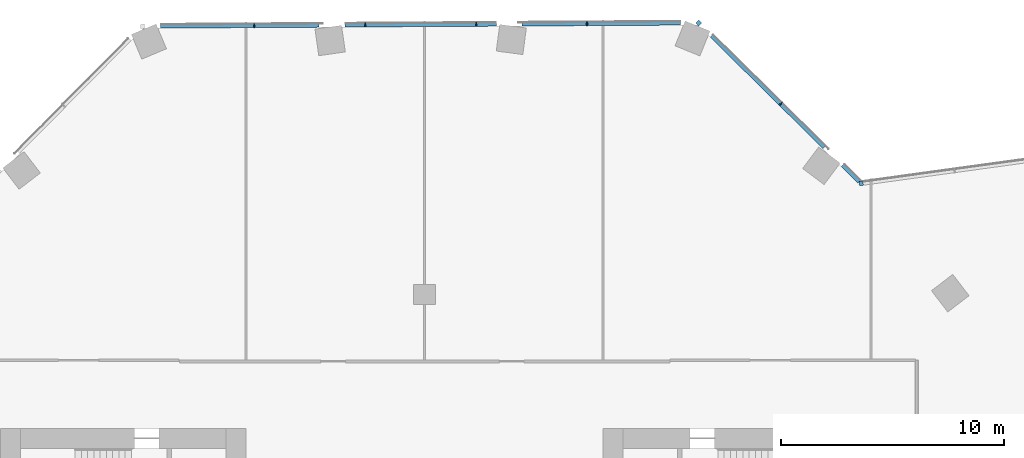
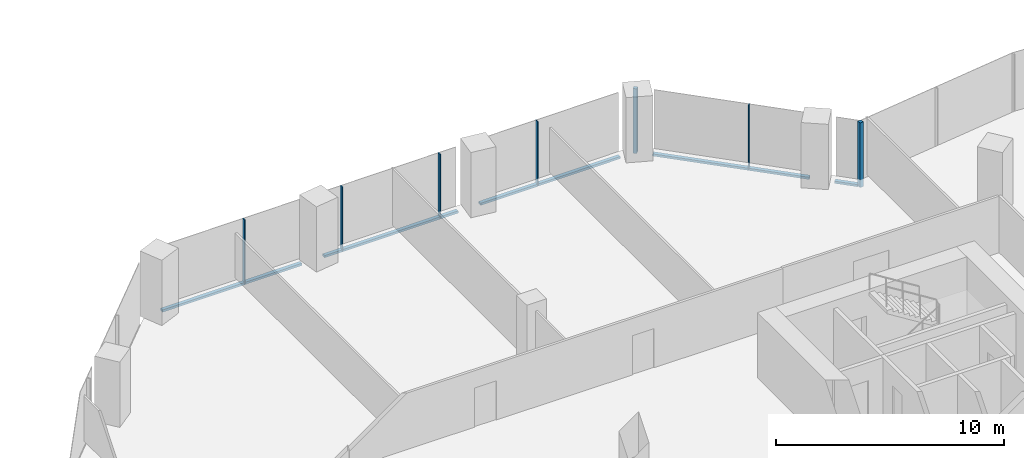
# One storey, part 10 of 27: 12 members, 3 elements without a shape of their own.
"""IFC4 building model written with IfcOpenShell, lengths in metres."""

from ifc_helpers import new_model, si_unit, direction, frame, origin, origin_2d, place, context, subcontext, project, spatial, rectangle, extrude, material, material_profile, profile_set, type_object, element, aggregate, save


model = new_model("IFC4")

# Units and contexts
model_context = context("Model", 3, precision=1e-05, world=origin(), true_north=direction((0.0, 1.0)))
body_context = subcontext(model_context, "Body", "Model", "MODEL_VIEW")
ifc_project = project(units=[si_unit("LENGTHUNIT", "METRE"), si_unit("AREAUNIT", "SQUARE_METRE"), si_unit("VOLUMEUNIT", "CUBIC_METRE"), si_unit("PLANEANGLEUNIT", "RADIAN"), si_unit("MASSUNIT", "GRAM", prefix="KILO")], contexts=[model_context])

# Site, building, storey
site_placement = place(None, origin())
site = spatial("IfcSite", under=ifc_project, at=site_placement, CompositionType="ELEMENT")
building_placement = place(site_placement, origin())
building = spatial("IfcBuilding", under=site, at=building_placement, Name="Orlundy Tower", CompositionType="ELEMENT")
storey_placement = place(building_placement, frame((0.0, 0.0, 199.10009765625)))
storey = spatial("IfcBuildingStorey", under=building, at=storey_placement, Name="L52", CompositionType="ELEMENT", Elevation=199.10009765625)

# Curtain wall, member
ifc_material_1 = material(Name="Aluminium bronze anodised", Category="aluminium")
curtain_wall_type = type_object("IfcCurtainWallType", Name="CW1 wall", PredefinedType="NOTDEFINED", material=ifc_material_1)
curtain_wall_1_placement = place(storey_placement, origin())
curtain_wall_1 = element("IfcCurtainWall", 1, at=curtain_wall_1_placement, inside=storey, type_object=curtain_wall_type, Name="CW1 run 05", PredefinedType="NOTDEFINED")
ifc_material_2 = material(Name="Aluminium bronze anodised", Category="aluminium")
ifc_material_profile_1 = material_profile(ifc_material_2, rectangle(XDim=0.179931640625, YDim=0.179931640625, at=origin_2d()), Name="CW1 corner post 180x180")
ifc_profile_set_1 = profile_set([ifc_material_profile_1], Name="Aluminium bronze anodised")
member_type_1 = type_object("IfcMemberType", Name="CW1 corner post 180x180", PredefinedType="MULLION", material=ifc_profile_set_1)
member_1_placement = place(storey_placement, frame((12.288818359375, 30.162109375, -0.420166015625), z_axis=(0.0, 0.0, 1.0), x_axis=(0.702991811789, 0.711197941896, 0.0)))
member_1 = element("IfcMember", 2, at=member_1_placement, type_object=member_type_1, Name="CW1 mullion 24", PredefinedType="MULLION", context=body_context, shape_type="SweptSolid", body=[
    extrude(rectangle(XDim=0.179931640625, YDim=0.179931640625, at=origin_2d()), origin(), (0.0, 0.0, 1.0), 3.469970703125),
])

curtain_wall_2_placement = place(storey_placement, origin())
curtain_wall_2 = element("IfcCurtainWall", 3, at=curtain_wall_2_placement, inside=storey, type_object=curtain_wall_type, Name="CW1 run 06", PredefinedType="NOTDEFINED")
member_2_placement = place(storey_placement, frame((19.563720703125, 22.97119140625, -0.420166015625), z_axis=(0.0, 0.0, 1.0), x_axis=(-0.136185270904, 0.990683386349, 0.0)))
member_2 = element("IfcMember", 4, at=member_2_placement, type_object=member_type_1, Name="CW1 mullion 26", PredefinedType="MULLION", context=body_context, shape_type="SweptSolid", body=[
    extrude(rectangle(XDim=0.179931640625, YDim=0.179931640625, at=origin_2d()), origin(), (0.0, 0.0, 1.0), 3.469970703125),
])
aggregate(curtain_wall_2, [member_2])

# Curtain wall, members
curtain_wall_3_placement = place(storey_placement, origin())
curtain_wall_3 = element("IfcCurtainWall", 5, at=curtain_wall_3_placement, inside=storey, type_object=curtain_wall_type, Name="CW1 run 04", PredefinedType="NOTDEFINED")
ifc_material_3 = material(Name="Aluminium bronze anodised", Category="aluminium")
ifc_material_profile_2 = material_profile(ifc_material_3, rectangle(XDim=0.179931640625, YDim=0.050048828125, at=origin_2d()), Name="CW1 mullion 50x180")
ifc_profile_set_2 = profile_set([ifc_material_profile_2], Name="Aluminium bronze anodised")
member_type_2 = type_object("IfcMemberType", Name="CW1 mullion 50x180", PredefinedType="MULLION", material=ifc_profile_set_2)
member_3_placement = place(storey_placement, frame((-7.630859375, 30.0458984375, -0.420166015625), z_axis=(0.0, 0.0, 1.0), x_axis=(-0.005834206419, 0.999982980873, 0.0)))
member_3 = element("IfcMember", 6, at=member_3_placement, type_object=member_type_2, Name="CW1 mullion 20", PredefinedType="MULLION", context=body_context, shape_type="SweptSolid", body=[
    extrude(rectangle(XDim=0.179931640625, YDim=0.050048828125, at=origin_2d()), origin(), (0.0, 0.0, 1.0), 3.469970703125),
])
member_4_placement = place(storey_placement, frame((-2.660400390625, 30.074951171875, -0.420166015625), z_axis=(0.0, 0.0, 1.0), x_axis=(-0.005834206419, 0.999982980873, 0.0)))
member_4 = element("IfcMember", 7, at=member_4_placement, type_object=member_type_2, Name="CW1 mullion 21", PredefinedType="MULLION", context=body_context, shape_type="SweptSolid", body=[
    extrude(rectangle(XDim=0.179931640625, YDim=0.050048828125, at=origin_2d()), origin(), (0.0, 0.0, 1.0), 3.469970703125),
])
member_5_placement = place(storey_placement, frame((2.310302734375, 30.10400390625, -0.420166015625), z_axis=(0.0, 0.0, 1.0), x_axis=(-0.005834206419, 0.999982980873, 0.0)))
member_5 = element("IfcMember", 8, at=member_5_placement, type_object=member_type_2, Name="CW1 mullion 22", PredefinedType="MULLION", context=body_context, shape_type="SweptSolid", body=[
    extrude(rectangle(XDim=0.179931640625, YDim=0.050048828125, at=origin_2d()), origin(), (0.0, 0.0, 1.0), 3.469970703125),
])
member_6_placement = place(storey_placement, frame((7.28076171875, 30.133056640625, -0.420166015625), z_axis=(0.0, 0.0, 1.0), x_axis=(-0.005834206419, 0.999982980873, 0.0)))
member_6 = element("IfcMember", 9, at=member_6_placement, type_object=member_type_2, Name="CW1 mullion 23", PredefinedType="MULLION", context=body_context, shape_type="SweptSolid", body=[
    extrude(rectangle(XDim=0.179931640625, YDim=0.050048828125, at=origin_2d()), origin(), (0.0, 0.0, 1.0), 3.469970703125),
])

# Member
member_7_placement = place(storey_placement, frame((15.955322265625, 26.5380859375, -0.420166015625), z_axis=(0.0, 0.0, 1.0), x_axis=(0.702991811789, 0.711197941896, 0.0)))
member_7 = element("IfcMember", 10, at=member_7_placement, type_object=member_type_2, Name="CW1 mullion 25", PredefinedType="MULLION", context=body_context, shape_type="SweptSolid", body=[
    extrude(rectangle(XDim=0.179931640625, YDim=0.050048828125, at=origin_2d()), origin(), (0.0, 0.0, 1.0), 3.469970703125),
])

ifc_material_4 = material(Name="Aluminium bronze anodised", Category="aluminium")
ifc_material_profile_3 = material_profile(ifc_material_4, rectangle(XDim=0.179931640625, YDim=0.1201171875, at=origin_2d()), Name="CW1 transom 180x120")
ifc_profile_set_3 = profile_set([ifc_material_profile_3], Name="Aluminium bronze anodised")
member_type_3 = type_object("IfcMemberType", Name="CW1 transom 180x120", PredefinedType="USERDEFINED", material=ifc_profile_set_3)
member_8_placement = place(storey_placement, frame((-11.826904296875, 30.021484375, -0.360107421875), z_axis=(0.999982941086, 0.005841021852, 0.0), x_axis=(-0.005841021852, 0.999982941086, 0.0)))
member_8 = element("IfcMember", 11, at=member_8_placement, type_object=member_type_3, Name="CW1 transom", ObjectType="TRANSOM", PredefinedType="USERDEFINED", context=body_context, shape_type="SweptSolid", body=[
    extrude(rectangle(XDim=0.179931640625, YDim=0.1201171875, at=origin_2d()), origin(), (0.0, 0.0, 1.0), 7.10546875),
])

member_9_placement = place(storey_placement, frame((-3.572265625, 30.069580078125, -0.360107421875), z_axis=(0.999982848282, 0.005856888404, 0.0), x_axis=(-0.005856888404, 0.999982848282, 0.0)))
member_9 = element("IfcMember", 12, at=member_9_placement, type_object=member_type_3, Name="CW1 transom", ObjectType="TRANSOM", PredefinedType="USERDEFINED", context=body_context, shape_type="SweptSolid", body=[
    extrude(rectangle(XDim=0.179931640625, YDim=0.1201171875, at=origin_2d()), origin(), (0.0, 0.0, 1.0), 6.79443359375),
])

member_10_placement = place(storey_placement, frame((4.36865234375, 30.115966796875, -0.360107421875), z_axis=(0.999982956315, 0.005838414073, 0.0), x_axis=(-0.005838414073, 0.999982956315, 0.0)))
member_10 = element("IfcMember", 13, at=member_10_placement, type_object=member_type_3, Name="CW1 transom", ObjectType="TRANSOM", PredefinedType="USERDEFINED", context=body_context, shape_type="SweptSolid", body=[
    extrude(rectangle(XDim=0.179931640625, YDim=0.1201171875, at=origin_2d()), origin(), (0.0, 0.0, 1.0), 7.108642578125),
])

aggregate(curtain_wall_3, [member_3, member_4, member_5, member_6, member_8, member_9, member_10])

member_11_placement = place(storey_placement, frame((12.8662109375, 29.59130859375, -0.360107421875), z_axis=(0.711199791426, -0.702989940665, 0.0), x_axis=(0.702989940665, 0.711199791426, 0.0)))
member_11 = element("IfcMember", 14, at=member_11_placement, type_object=member_type_3, Name="CW1 transom", ObjectType="TRANSOM", PredefinedType="USERDEFINED", context=body_context, shape_type="SweptSolid", body=[
    extrude(rectangle(XDim=0.179931640625, YDim=0.1201171875, at=origin_2d()), origin(), (0.0, 0.0, 1.0), 7.107177734375),
])

member_12_placement = place(storey_placement, frame((18.73681640625, 23.78857421875, -0.360107421875), z_axis=(0.711167511721, -0.703022595848, 0.0), x_axis=(0.703022595848, 0.711167511721, 0.0)))
member_12 = element("IfcMember", 15, at=member_12_placement, type_object=member_type_3, Name="CW1 transom", ObjectType="TRANSOM", PredefinedType="USERDEFINED", context=body_context, shape_type="SweptSolid", body=[
    extrude(rectangle(XDim=0.179931640625, YDim=0.1201171875, at=origin_2d()), origin(), (0.0, 0.0, 1.0), 1.049072265625),
])

aggregate(curtain_wall_1, [member_1, member_7, member_11, member_12])

save(model, "model.ifc")
